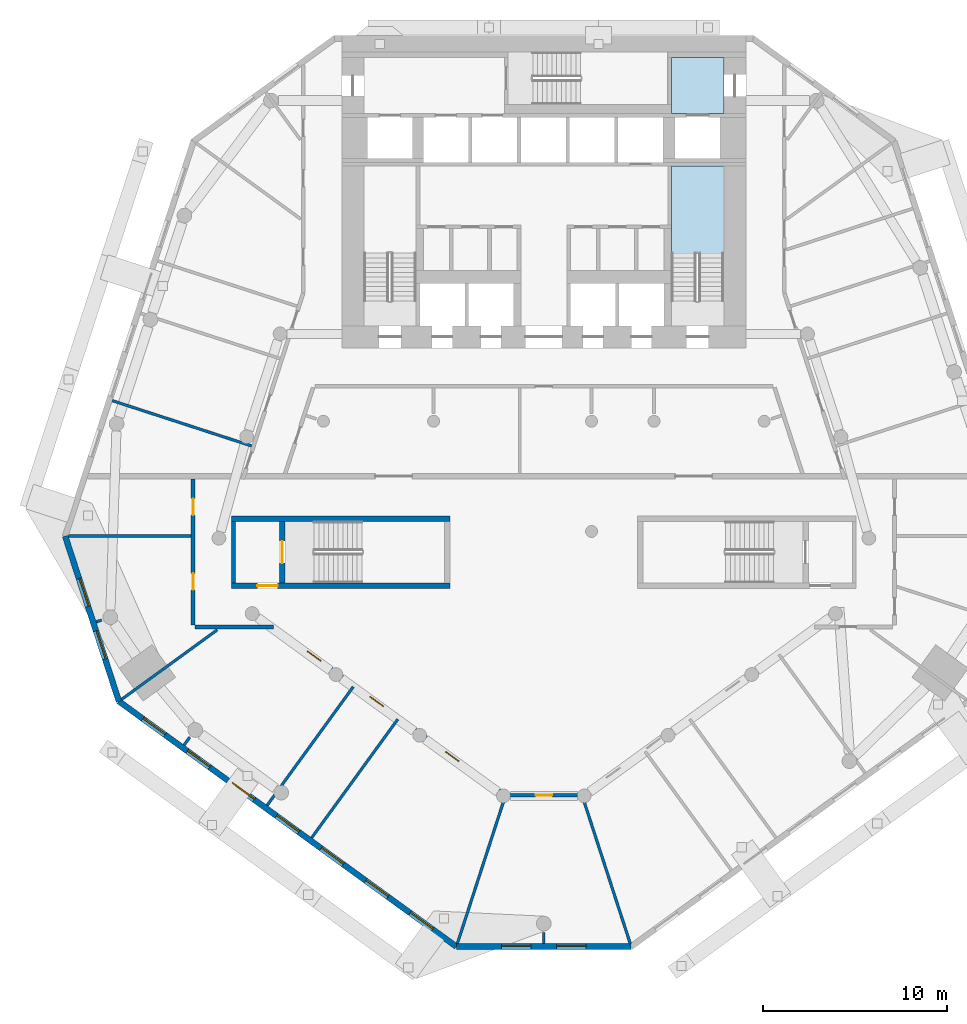
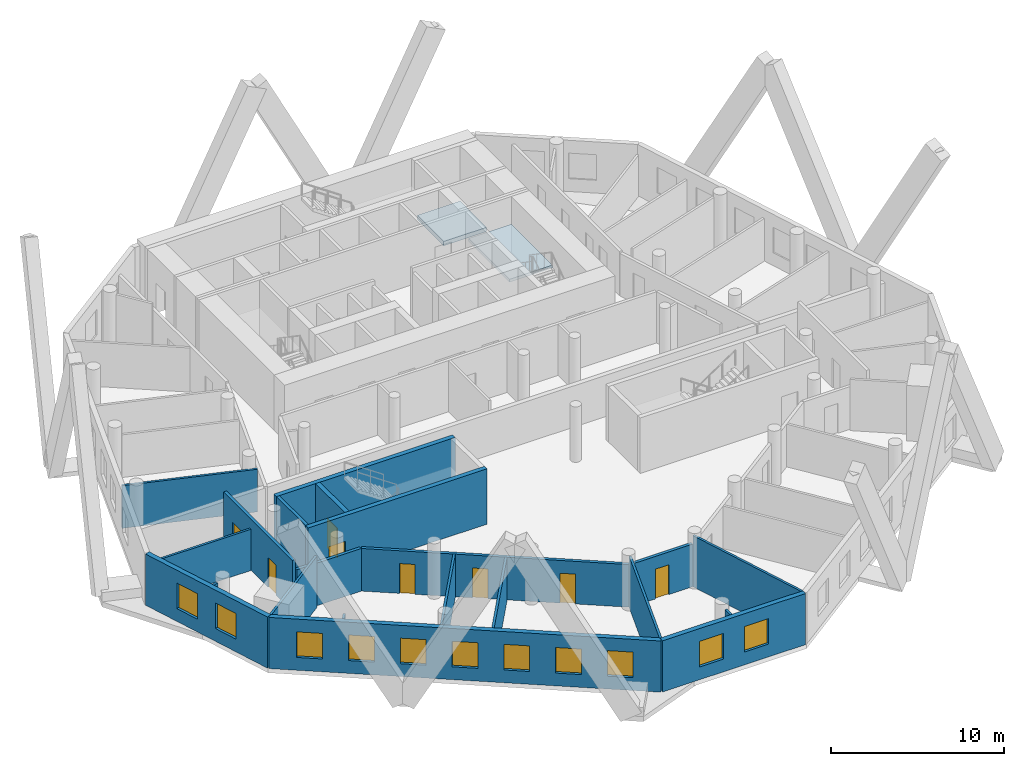
# One storey, part 3 of 10: 21 walls, 11 windows, 8 doors, 2 slabs, 19 openings, 1 element without a shape of its own.
"""IFC4 building model written with IfcOpenShell, lengths in metres."""

from ifc_helpers import new_model, si_unit, direction, frame, frame_2d, origin, place, context, subcontext, project, spatial, polyline, rectangle, outline, extrude, material, layer, layer_set, type_object, element, fill, aggregate, save


model = new_model("IFC4")

# Units and contexts
model_context = context("Model", 3, precision=1e-05, world=origin(), true_north=direction((0.0, 1.0)))
body_context = subcontext(model_context, "Body", "Model", "MODEL_VIEW")
ifc_project = project(units=[si_unit("LENGTHUNIT", "METRE"), si_unit("AREAUNIT", "SQUARE_METRE"), si_unit("VOLUMEUNIT", "CUBIC_METRE"), si_unit("PLANEANGLEUNIT", "RADIAN"), si_unit("MASSUNIT", "GRAM", prefix="KILO")], contexts=[model_context])

# Site, building, storey
site_placement = place(None, origin())
site = spatial("IfcSite", under=ifc_project, at=site_placement, CompositionType="ELEMENT")
building_placement = place(site_placement, origin())
building = spatial("IfcBuilding", under=site, at=building_placement, Name="White Candle Pilgrim Tower", CompositionType="ELEMENT")
storey_placement = place(building_placement, frame((0.0, 0.0, 54.60009765625)))
storey = spatial("IfcBuildingStorey", under=building, at=storey_placement, Name="L10", CompositionType="ELEMENT", Elevation=54.60009765625)

# Slab
ifc_material_1 = material(Name="Concrete C40/50", Category="concrete")
ifc_layer_1 = layer(ifc_material_1, 0.300048828125)
ifc_layer_set_1 = layer_set([ifc_layer_1], Name="Core floor slab 300 mm Concrete C40/50")
slab_type_1 = type_object("IfcSlabType", Name="Core floor slab 300 mm Concrete C40/50", PredefinedType="FLOOR", material=ifc_layer_set_1)
slab_1_placement = place(storey_placement, frame((0.0, 0.0, -0.300048828125)))
element("IfcSlab", 1, at=slab_1_placement, inside=storey, type_object=slab_type_1, Name="CF-L10-06", PredefinedType="FLOOR", context=body_context, shape_type="SweptSolid", body=[
    extrude(outline(polyline([(79.800048828125, 86.800048828125), (79.800048828125, 83.75), (76.949951171875, 83.75), (76.949951171875, 84.25), (76.949951171875, 86.800048828125), (79.800048828125, 86.800048828125)])), origin(), (0.0, 0.0, 1.0), 0.300048828125),
])

# Stair, slab
stair_type = type_object("IfcStairType", Name="Exit stair 2 flight width 1350 mm", PredefinedType="HALF_TURN_STAIR", material=ifc_material_1)
stair_placement = place(storey_placement, origin())
stair = element("IfcStair", 2, at=stair_placement, inside=storey, type_object=stair_type, Name="L10 stair 2", PredefinedType="NOTDEFINED")
ifc_layer_2 = layer(ifc_material_1, 0.199951171875)
ifc_layer_set_2 = layer_set([ifc_layer_2], Name="Stair landing Concrete C40/50")
slab_type_2 = type_object("IfcSlabType", Name="Stair landing Concrete C40/50", PredefinedType="LANDING", material=ifc_layer_set_2)
slab_2_placement = place(storey_placement, frame((0.0, 0.0, 1.75)))
slab_2 = element("IfcSlab", 3, at=slab_2_placement, type_object=slab_type_2, Name="ST2 landing 1", PredefinedType="LANDING", context=body_context, shape_type="SweptSolid", body=[
    extrude(outline(polyline([(79.802001953125, 76.14794921875), (76.947998046875, 76.14794921875), (76.947998046875, 80.902099609375), (79.802001953125, 80.902099609375), (79.802001953125, 76.14794921875)])), origin(), (0.0, 0.0, 1.0), 0.199951171875),
])
aggregate(stair, [slab_2])

# Wall
ifc_material_2 = material(Name="Concrete C70/85", Category="concrete")
ifc_layer_3 = layer(ifc_material_2, 0.199951171875)
ifc_layer_set_3 = layer_set([ifc_layer_3], Name="Core wall 200 mm Concrete C70/85")
wall_type_1 = type_object("IfcWallType", Name="Core wall 200 mm Concrete C70/85", PredefinedType="SHEAR", material=ifc_layer_set_3)
wall_1_placement = place(storey_placement, frame((53.10009765625, 58.199951171875, 0.0), z_axis=(0.0, 0.0, 1.0), x_axis=(0.0, 1.0, 0.0)))
element("IfcWall", 4, at=wall_1_placement, inside=storey, type_object=wall_type_1, Name="WL-L10-C03", PredefinedType="SHEAR", context=body_context, shape_type="SweptSolid", body=[
    extrude(rectangle(XDim=3.35009765625, YDim=0.199951171875, at=frame_2d((1.675048828125, 0.0))), origin(), (0.0, 0.0, 1.0), 3.89990234375),
])

# Wall, opening, door
ifc_material_3 = material(Name="Gypsum board on steel studs", Category="steel")
ifc_layer_4 = layer(ifc_material_3, 0.199951171875)
ifc_layer_set_4 = layer_set([ifc_layer_4], Name="Corridor wall 200 mm EI 45")
wall_type_2 = type_object("IfcWallType", Name="Corridor wall 200 mm EI 45", PredefinedType="PARTITIONING", material=ifc_layer_set_4)
wall_2_placement = place(storey_placement, frame((72.05029296875, 46.635498046875, 0.0), z_axis=(0.0, 0.0, 1.0), x_axis=(-1.0, 0.0, 0.0)))
wall_2 = element("IfcWall", 5, at=wall_2_placement, inside=storey, type_object=wall_type_2, Name="WL-L10-P009", PredefinedType="PARTITIONING", context=body_context, shape_type="SweptSolid", body=[
    extrude(rectangle(XDim=4.1005859375, YDim=0.199951171875, at=frame_2d((2.05029296875, 0.0))), origin(), (0.0, 0.0, 1.0), 3.0),
])
opening_1_placement = place(wall_2_placement, frame((1.600341796875, 0.0, 0.0)))
opening_1 = element("IfcOpeningElement", 6, at=opening_1_placement, cuts=wall_2, Name="Opening T03-105", PredefinedType="OPENING", context=body_context, shape_type="SweptSolid", body=[
    extrude(rectangle(XDim=0.89990234375, YDim=2.10009765625, at=frame_2d((0.449951171875, 1.050048828125))), frame((0.0, 0.10986328125, 0.0), z_axis=(0.0, -1.0, 0.0), x_axis=(1.0, 0.0, 0.0)), (0.0, 0.0, 1.0), 0.219970703125),
])
ifc_material_4 = material(Name="Steel door leaf", Category="steel")
door_type_1 = type_object("IfcDoorType", Name="Fire door 900 x 2100 EI 30", OperationType="NOTDEFINED", PredefinedType="DOOR", material=ifc_material_4)
door_1_placement = place(opening_1_placement, origin())
door_1 = element("IfcDoor", 7, at=door_1_placement, inside=storey, type_object=door_type_1, Name="Door T03-105", OperationType="SINGLE_SWING_LEFT", OverallHeight=2.10009765625, OverallWidth=0.89990234375, PredefinedType="DOOR", context=body_context, shape_type="SweptSolid", body=[
    extrude(rectangle(XDim=0.89990234375, YDim=2.10009765625, at=frame_2d((0.449951171875, 1.050048828125))), frame((0.0, 0.02490234375, 0.0), z_axis=(0.0, -1.0, 0.0), x_axis=(1.0, 0.0, 0.0)), (0.0, 0.0, 1.0), 0.050048828125),
])
fill(opening_1, door_1)

# Wall, openings, doors
wall_3_placement = place(storey_placement, frame((67.89111328125, 46.654541015625, 0.0), z_axis=(0.0, 0.0, 1.0), x_axis=(-0.80901748899, 0.587784571512, 0.0)))
wall_3 = element("IfcWall", 8, at=wall_3_placement, inside=storey, type_object=wall_type_2, Name="WL-L10-P010", PredefinedType="PARTITIONING", context=body_context, shape_type="SweptSolid", body=[
    extrude(rectangle(XDim=15.52685546875, YDim=0.199951171875, at=frame_2d((7.763427734375, 0.0))), origin(), (0.0, 0.0, 1.0), 3.0),
])
opening_2_placement = place(wall_3_placement, frame((12.40380859375, 0.0, 0.0)))
opening_2 = element("IfcOpeningElement", 9, at=opening_2_placement, cuts=wall_3, Name="Opening T03-102", PredefinedType="OPENING", context=body_context, shape_type="SweptSolid", body=[
    extrude(rectangle(XDim=0.89990234375, YDim=2.10009765625, at=frame_2d((0.449951171875, 1.050048828125))), frame((0.0, 0.10986328125, 0.0), z_axis=(0.0, -1.0, 0.0), x_axis=(1.0, 0.0, 0.0)), (0.0, 0.0, 1.0), 0.219970703125),
])
opening_3_placement = place(wall_3_placement, frame((8.198486328125, 0.0, 0.0)))
opening_3 = element("IfcOpeningElement", 10, at=opening_3_placement, cuts=wall_3, Name="Opening T03-103", PredefinedType="OPENING", context=body_context, shape_type="SweptSolid", body=[
    extrude(rectangle(XDim=0.89990234375, YDim=2.10009765625, at=frame_2d((0.449951171875, 1.050048828125))), frame((0.0, 0.10986328125, 0.0), z_axis=(0.0, -1.0, 0.0), x_axis=(1.0, 0.0, 0.0)), (0.0, 0.0, 1.0), 0.219970703125),
])
opening_4_placement = place(wall_3_placement, frame((3.10791015625, 0.0, 0.0)))
opening_4 = element("IfcOpeningElement", 11, at=opening_4_placement, cuts=wall_3, Name="Opening T03-104", PredefinedType="OPENING", context=body_context, shape_type="SweptSolid", body=[
    extrude(rectangle(XDim=0.89990234375, YDim=2.10009765625, at=frame_2d((0.449951171875, 1.050048828125))), frame((0.0, 0.10986328125, 0.0), z_axis=(0.0, -1.0, 0.0), x_axis=(1.0, 0.0, 0.0)), (0.0, 0.0, 1.0), 0.219970703125),
])
door_2_placement = place(opening_2_placement, origin())
door_2 = element("IfcDoor", 12, at=door_2_placement, inside=storey, type_object=door_type_1, Name="Door T03-102", OperationType="SINGLE_SWING_RIGHT", OverallHeight=2.10009765625, OverallWidth=0.89990234375, PredefinedType="DOOR", context=body_context, shape_type="SweptSolid", body=[
    extrude(rectangle(XDim=0.89990234375, YDim=2.10009765625, at=frame_2d((0.449951171875, 1.050048828125))), frame((0.0, 0.02490234375, 0.0), z_axis=(0.0, -1.0, 0.0), x_axis=(1.0, 0.0, 0.0)), (0.0, 0.0, 1.0), 0.050048828125),
])
fill(opening_2, door_2)
door_3_placement = place(opening_3_placement, origin())
door_3 = element("IfcDoor", 13, at=door_3_placement, inside=storey, type_object=door_type_1, Name="Door T03-103", OperationType="SINGLE_SWING_LEFT", OverallHeight=2.10009765625, OverallWidth=0.89990234375, PredefinedType="DOOR", context=body_context, shape_type="SweptSolid", body=[
    extrude(rectangle(XDim=0.89990234375, YDim=2.10009765625, at=frame_2d((0.449951171875, 1.050048828125))), frame((0.0, 0.02490234375, 0.0), z_axis=(0.0, -1.0, 0.0), x_axis=(1.0, 0.0, 0.0)), (0.0, 0.0, 1.0), 0.050048828125),
])
fill(opening_3, door_3)
door_4_placement = place(opening_4_placement, origin())
door_4 = element("IfcDoor", 14, at=door_4_placement, inside=storey, type_object=door_type_1, Name="Door T03-104", OperationType="SINGLE_SWING_RIGHT", OverallHeight=2.10009765625, OverallWidth=0.89990234375, PredefinedType="DOOR", context=body_context, shape_type="SweptSolid", body=[
    extrude(rectangle(XDim=0.89990234375, YDim=2.10009765625, at=frame_2d((0.449951171875, 1.050048828125))), frame((0.0, 0.02490234375, 0.0), z_axis=(0.0, -1.0, 0.0), x_axis=(1.0, 0.0, 0.0)), (0.0, 0.0, 1.0), 0.050048828125),
])
fill(opening_4, door_4)

# Wall
wall_4_placement = place(storey_placement, frame((55.27099609375, 55.800048828125, 0.0), z_axis=(0.0, 0.0, 1.0), x_axis=(-1.0, 0.0, 0.0)))
element("IfcWall", 15, at=wall_4_placement, inside=storey, type_object=wall_type_2, Name="WL-L10-P011", PredefinedType="PARTITIONING", context=body_context, shape_type="SweptSolid", body=[
    extrude(rectangle(XDim=4.27099609375, YDim=0.199951171875, at=frame_2d((2.135498046875, 0.0))), origin(), (0.0, 0.0, 1.0), 3.0),
])

# Wall, openings, doors
wall_5_placement = place(storey_placement, frame((50.89990234375, 55.89990234375, 0.0), z_axis=(0.0, 0.0, 1.0), x_axis=(0.0, 1.0, 0.0)))
wall_5 = element("IfcWall", 16, at=wall_5_placement, inside=storey, type_object=wall_type_2, Name="WL-L10-P012", PredefinedType="PARTITIONING", context=body_context, shape_type="SweptSolid", body=[
    extrude(rectangle(XDim=7.9501953125, YDim=0.199951171875, at=frame_2d((3.97509765625, 0.0))), origin(), (0.0, 0.0, 1.0), 3.599853515625),
])
opening_5_placement = place(wall_5_placement, frame((1.923583984375, 0.0, 0.0)))
opening_5 = element("IfcOpeningElement", 17, at=opening_5_placement, cuts=wall_5, Name="Opening T03-101", PredefinedType="OPENING", context=body_context, shape_type="SweptSolid", body=[
    extrude(rectangle(XDim=0.89990234375, YDim=2.10009765625, at=frame_2d((0.449951171875, 1.050048828125))), frame((0.0, 0.10986328125, 0.0), z_axis=(0.0, -1.0, 0.0), x_axis=(1.0, 0.0, 0.0)), (0.0, 0.0, 1.0), 0.219970703125),
])
opening_6_placement = place(wall_5_placement, frame((5.986083984375, 0.0, 0.0)))
opening_6 = element("IfcOpeningElement", 18, at=opening_6_placement, cuts=wall_5, Name="Opening T03-114", PredefinedType="OPENING", context=body_context, shape_type="SweptSolid", body=[
    extrude(rectangle(XDim=0.89990234375, YDim=2.10009765625, at=frame_2d((0.449951171875, 1.050048828125))), frame((0.0, 0.10986328125, 0.0), z_axis=(0.0, -1.0, 0.0), x_axis=(1.0, 0.0, 0.0)), (0.0, 0.0, 1.0), 0.219970703125),
])
door_5_placement = place(opening_5_placement, origin())
door_5 = element("IfcDoor", 19, at=door_5_placement, inside=storey, type_object=door_type_1, Name="Door T03-101", OperationType="SINGLE_SWING_LEFT", OverallHeight=2.10009765625, OverallWidth=0.89990234375, PredefinedType="DOOR", context=body_context, shape_type="SweptSolid", body=[
    extrude(rectangle(XDim=0.89990234375, YDim=2.10009765625, at=frame_2d((0.449951171875, 1.050048828125))), frame((0.0, 0.02490234375, 0.0), z_axis=(0.0, -1.0, 0.0), x_axis=(1.0, 0.0, 0.0)), (0.0, 0.0, 1.0), 0.050048828125),
])
fill(opening_5, door_5)
door_6_placement = place(opening_6_placement, origin())
door_6 = element("IfcDoor", 20, at=door_6_placement, inside=storey, type_object=door_type_1, Name="Door T03-114", OperationType="SINGLE_SWING_RIGHT", OverallHeight=2.10009765625, OverallWidth=0.89990234375, PredefinedType="DOOR", context=body_context, shape_type="SweptSolid", body=[
    extrude(rectangle(XDim=0.89990234375, YDim=2.10009765625, at=frame_2d((0.449951171875, 1.050048828125))), frame((0.0, 0.02490234375, 0.0), z_axis=(0.0, -1.0, 0.0), x_axis=(1.0, 0.0, 0.0)), (0.0, 0.0, 1.0), 0.050048828125),
])
fill(opening_6, door_6)

# Wall, openings, windows
ifc_material_5 = material(Name="Precast concrete C40/50", Category="concrete")
ifc_layer_5 = layer(ifc_material_5, 0.320068359375)
ifc_layer_set_5 = layer_set([ifc_layer_5], Name="Facade wall EW1 precast concrete C40/50 pier wall with timber-lined reveals")
wall_type_3 = type_object("IfcWallType", Name="Facade wall EW1 precast concrete C40/50 pier wall with timber-lined reveals", PredefinedType="SOLIDWALL", material=ifc_layer_set_5)
wall_6_placement = place(storey_placement, frame((43.937744140625, 60.747314453125, 0.0), z_axis=(0.0, 0.0, 1.0), x_axis=(0.309035900621, -0.951050373076, 0.0)))
wall_6 = element("IfcWall", 21, at=wall_6_placement, inside=storey, type_object=wall_type_3, Name="Facade wall L10 W chamfer", PredefinedType="SOLIDWALL", context=body_context, shape_type="SweptSolid", body=[
    extrude(rectangle(XDim=9.462646484375, YDim=0.320068359375, at=frame_2d((4.7314453125, 0.0))), origin(), (0.0, 0.0, 1.0), 3.599853515625),
])
opening_7_placement = place(wall_6_placement, frame((2.431396484375, 0.0, 0.89990234375)))
opening_7 = element("IfcOpeningElement", 22, at=opening_7_placement, cuts=wall_6, Name="Opening W2", PredefinedType="OPENING", context=body_context, shape_type="SweptSolid", body=[
    extrude(rectangle(XDim=1.60009765625, YDim=1.800048828125, at=frame_2d((0.800048828125, 0.89990234375))), frame((0.0, 0.169921875, 0.0), z_axis=(0.0, -1.0, 0.0), x_axis=(1.0, 0.0, 0.0)), (0.0, 0.0, 1.0), 0.340087890625),
])
opening_8_placement = place(wall_6_placement, frame((5.431396484375, 0.0, 0.89990234375)))
opening_8 = element("IfcOpeningElement", 23, at=opening_8_placement, cuts=wall_6, Name="Opening W2", PredefinedType="OPENING", context=body_context, shape_type="SweptSolid", body=[
    extrude(rectangle(XDim=1.60009765625, YDim=1.800048828125, at=frame_2d((0.800048828125, 0.89990234375))), frame((0.0, 0.169921875, 0.0), z_axis=(0.0, -1.0, 0.0), x_axis=(1.0, 0.0, 0.0)), (0.0, 0.0, 1.0), 0.340087890625),
])
ifc_material_6 = material(Name="Timber frame with triple glazing", Category="wood")
window_type_1 = type_object("IfcWindowType", Name="Window W2 1600x1800 timber frame triple glazing", PartitioningType="SINGLE_PANEL", PredefinedType="WINDOW", material=ifc_material_6)
window_1_placement = place(opening_7_placement, origin())
window_1 = element("IfcWindow", 24, at=window_1_placement, inside=storey, type_object=window_type_1, Name="Window W2 L10 W chamfer 1", OverallHeight=1.800048828125, OverallWidth=1.60009765625, PartitioningType="SINGLE_PANEL", PredefinedType="WINDOW", context=body_context, shape_type="SweptSolid", body=[
    extrude(rectangle(XDim=1.60009765625, YDim=1.800048828125, at=frame_2d((0.800048828125, 0.89990234375))), frame((0.0, 0.070068359375, 0.0), z_axis=(0.0, -1.0, 0.0), x_axis=(1.0, 0.0, 0.0)), (0.0, 0.0, 1.0), 0.06005859375),
])
fill(opening_7, window_1)
window_2_placement = place(opening_8_placement, origin())
window_2 = element("IfcWindow", 25, at=window_2_placement, inside=storey, type_object=window_type_1, Name="Window W2 L10 W chamfer 2", OverallHeight=1.800048828125, OverallWidth=1.60009765625, PartitioningType="SINGLE_PANEL", PredefinedType="WINDOW", context=body_context, shape_type="SweptSolid", body=[
    extrude(rectangle(XDim=1.60009765625, YDim=1.800048828125, at=frame_2d((0.800048828125, 0.89990234375))), frame((0.0, 0.070068359375, 0.0), z_axis=(0.0, -1.0, 0.0), x_axis=(1.0, 0.0, 0.0)), (0.0, 0.0, 1.0), 0.06005859375),
])
fill(opening_8, window_2)

wall_7_placement = place(storey_placement, frame((46.862060546875, 51.747802734375, 0.0), z_axis=(0.0, 0.0, 1.0), x_axis=(0.809018094896, -0.587783737552, 0.0)))
wall_7 = element("IfcWall", 26, at=wall_7_placement, inside=storey, type_object=wall_type_3, Name="Facade wall L10 SW", PredefinedType="SOLIDWALL", context=body_context, shape_type="SweptSolid", body=[
    extrude(rectangle(XDim=22.71630859375, YDim=0.320068359375, at=frame_2d((11.358154296875, 0.0))), origin(), (0.0, 0.0, 1.0), 3.599853515625),
])
opening_9_placement = place(wall_7_placement, frame((1.608154296875, 0.0, 0.89990234375)))
opening_9 = element("IfcOpeningElement", 27, at=opening_9_placement, cuts=wall_7, Name="Opening W1", PredefinedType="OPENING", context=body_context, shape_type="SweptSolid", body=[
    extrude(rectangle(XDim=1.5, YDim=1.800048828125, at=frame_2d((0.75, 0.89990234375))), frame((0.0, 0.169921875, 0.0), z_axis=(0.0, -1.0, 0.0), x_axis=(1.0, 0.0, 0.0)), (0.0, 0.0, 1.0), 0.340087890625),
])
opening_10_placement = place(wall_7_placement, frame((4.608154296875, 0.0, 0.89990234375)))
opening_10 = element("IfcOpeningElement", 28, at=opening_10_placement, cuts=wall_7, Name="Opening W1", PredefinedType="OPENING", context=body_context, shape_type="SweptSolid", body=[
    extrude(rectangle(XDim=1.5, YDim=1.800048828125, at=frame_2d((0.75, 0.89990234375))), frame((0.0, 0.169921875, 0.0), z_axis=(0.0, -1.0, 0.0), x_axis=(1.0, 0.0, 0.0)), (0.0, 0.0, 1.0), 0.340087890625),
])
opening_11_placement = place(wall_7_placement, frame((7.608154296875, 0.0, 0.89990234375)))
opening_11 = element("IfcOpeningElement", 29, at=opening_11_placement, cuts=wall_7, Name="Opening W1", PredefinedType="OPENING", context=body_context, shape_type="SweptSolid", body=[
    extrude(rectangle(XDim=1.5, YDim=1.800048828125, at=frame_2d((0.75, 0.89990234375))), frame((0.0, 0.169921875, 0.0), z_axis=(0.0, -1.0, 0.0), x_axis=(1.0, 0.0, 0.0)), (0.0, 0.0, 1.0), 0.340087890625),
])
opening_12_placement = place(wall_7_placement, frame((10.608154296875, 0.0, 0.89990234375)))
opening_12 = element("IfcOpeningElement", 30, at=opening_12_placement, cuts=wall_7, Name="Opening W1", PredefinedType="OPENING", context=body_context, shape_type="SweptSolid", body=[
    extrude(rectangle(XDim=1.5, YDim=1.800048828125, at=frame_2d((0.75, 0.89990234375))), frame((0.0, 0.169921875, 0.0), z_axis=(0.0, -1.0, 0.0), x_axis=(1.0, 0.0, 0.0)), (0.0, 0.0, 1.0), 0.340087890625),
])
opening_13_placement = place(wall_7_placement, frame((13.608154296875, 0.0, 0.89990234375)))
opening_13 = element("IfcOpeningElement", 31, at=opening_13_placement, cuts=wall_7, Name="Opening W1", PredefinedType="OPENING", context=body_context, shape_type="SweptSolid", body=[
    extrude(rectangle(XDim=1.5, YDim=1.800048828125, at=frame_2d((0.75, 0.89990234375))), frame((0.0, 0.169921875, 0.0), z_axis=(0.0, -1.0, 0.0), x_axis=(1.0, 0.0, 0.0)), (0.0, 0.0, 1.0), 0.340087890625),
])
opening_14_placement = place(wall_7_placement, frame((16.608154296875, 0.0, 0.89990234375)))
opening_14 = element("IfcOpeningElement", 32, at=opening_14_placement, cuts=wall_7, Name="Opening W1", PredefinedType="OPENING", context=body_context, shape_type="SweptSolid", body=[
    extrude(rectangle(XDim=1.5, YDim=1.800048828125, at=frame_2d((0.75, 0.89990234375))), frame((0.0, 0.169921875, 0.0), z_axis=(0.0, -1.0, 0.0), x_axis=(1.0, 0.0, 0.0)), (0.0, 0.0, 1.0), 0.340087890625),
])
opening_15_placement = place(wall_7_placement, frame((19.608154296875, 0.0, 0.89990234375)))
opening_15 = element("IfcOpeningElement", 33, at=opening_15_placement, cuts=wall_7, Name="Opening W1", PredefinedType="OPENING", context=body_context, shape_type="SweptSolid", body=[
    extrude(rectangle(XDim=1.5, YDim=1.800048828125, at=frame_2d((0.75, 0.89990234375))), frame((0.0, 0.169921875, 0.0), z_axis=(0.0, -1.0, 0.0), x_axis=(1.0, 0.0, 0.0)), (0.0, 0.0, 1.0), 0.340087890625),
])
window_type_2 = type_object("IfcWindowType", Name="Window W1 1500x1800 timber frame triple glazing", PartitioningType="SINGLE_PANEL", PredefinedType="WINDOW", material=ifc_material_6)
window_3_placement = place(opening_9_placement, origin())
window_3 = element("IfcWindow", 34, at=window_3_placement, inside=storey, type_object=window_type_2, Name="Window W1 L10 SW 1", OverallHeight=1.800048828125, OverallWidth=1.5, PartitioningType="SINGLE_PANEL", PredefinedType="WINDOW", context=body_context, shape_type="SweptSolid", body=[
    extrude(rectangle(XDim=1.5, YDim=1.800048828125, at=frame_2d((0.75, 0.89990234375))), frame((0.0, 0.070068359375, 0.0), z_axis=(0.0, -1.0, 0.0), x_axis=(1.0, 0.0, 0.0)), (0.0, 0.0, 1.0), 0.06005859375),
])
fill(opening_9, window_3)
window_4_placement = place(opening_10_placement, origin())
window_4 = element("IfcWindow", 35, at=window_4_placement, inside=storey, type_object=window_type_2, Name="Window W1 L10 SW 2", OverallHeight=1.800048828125, OverallWidth=1.5, PartitioningType="SINGLE_PANEL", PredefinedType="WINDOW", context=body_context, shape_type="SweptSolid", body=[
    extrude(rectangle(XDim=1.5, YDim=1.800048828125, at=frame_2d((0.75, 0.89990234375))), frame((0.0, 0.070068359375, 0.0), z_axis=(0.0, -1.0, 0.0), x_axis=(1.0, 0.0, 0.0)), (0.0, 0.0, 1.0), 0.06005859375),
])
fill(opening_10, window_4)
window_5_placement = place(opening_11_placement, origin())
window_5 = element("IfcWindow", 36, at=window_5_placement, inside=storey, type_object=window_type_2, Name="Window W1 L10 SW 3", OverallHeight=1.800048828125, OverallWidth=1.5, PartitioningType="SINGLE_PANEL", PredefinedType="WINDOW", context=body_context, shape_type="SweptSolid", body=[
    extrude(rectangle(XDim=1.5, YDim=1.800048828125, at=frame_2d((0.75, 0.89990234375))), frame((0.0, 0.070068359375, 0.0), z_axis=(0.0, -1.0, 0.0), x_axis=(1.0, 0.0, 0.0)), (0.0, 0.0, 1.0), 0.06005859375),
])
fill(opening_11, window_5)
window_6_placement = place(opening_12_placement, origin())
window_6 = element("IfcWindow", 37, at=window_6_placement, inside=storey, type_object=window_type_2, Name="Window W1 L10 SW 4", OverallHeight=1.800048828125, OverallWidth=1.5, PartitioningType="SINGLE_PANEL", PredefinedType="WINDOW", context=body_context, shape_type="SweptSolid", body=[
    extrude(rectangle(XDim=1.5, YDim=1.800048828125, at=frame_2d((0.75, 0.89990234375))), frame((0.0, 0.070068359375, 0.0), z_axis=(0.0, -1.0, 0.0), x_axis=(1.0, 0.0, 0.0)), (0.0, 0.0, 1.0), 0.06005859375),
])
fill(opening_12, window_6)
window_7_placement = place(opening_13_placement, origin())
window_7 = element("IfcWindow", 38, at=window_7_placement, inside=storey, type_object=window_type_2, Name="Window W1 L10 SW 5", OverallHeight=1.800048828125, OverallWidth=1.5, PartitioningType="SINGLE_PANEL", PredefinedType="WINDOW", context=body_context, shape_type="SweptSolid", body=[
    extrude(rectangle(XDim=1.5, YDim=1.800048828125, at=frame_2d((0.75, 0.89990234375))), frame((0.0, 0.070068359375, 0.0), z_axis=(0.0, -1.0, 0.0), x_axis=(1.0, 0.0, 0.0)), (0.0, 0.0, 1.0), 0.06005859375),
])
fill(opening_13, window_7)
window_8_placement = place(opening_14_placement, origin())
window_8 = element("IfcWindow", 39, at=window_8_placement, inside=storey, type_object=window_type_2, Name="Window W1 L10 SW 6", OverallHeight=1.800048828125, OverallWidth=1.5, PartitioningType="SINGLE_PANEL", PredefinedType="WINDOW", context=body_context, shape_type="SweptSolid", body=[
    extrude(rectangle(XDim=1.5, YDim=1.800048828125, at=frame_2d((0.75, 0.89990234375))), frame((0.0, 0.070068359375, 0.0), z_axis=(0.0, -1.0, 0.0), x_axis=(1.0, 0.0, 0.0)), (0.0, 0.0, 1.0), 0.06005859375),
])
fill(opening_14, window_8)
window_9_placement = place(opening_15_placement, origin())
window_9 = element("IfcWindow", 40, at=window_9_placement, inside=storey, type_object=window_type_2, Name="Window W1 L10 SW 7", OverallHeight=1.800048828125, OverallWidth=1.5, PartitioningType="SINGLE_PANEL", PredefinedType="WINDOW", context=body_context, shape_type="SweptSolid", body=[
    extrude(rectangle(XDim=1.5, YDim=1.800048828125, at=frame_2d((0.75, 0.89990234375))), frame((0.0, 0.070068359375, 0.0), z_axis=(0.0, -1.0, 0.0), x_axis=(1.0, 0.0, 0.0)), (0.0, 0.0, 1.0), 0.06005859375),
])
fill(opening_15, window_9)

wall_8_placement = place(storey_placement, frame((65.239990234375, 38.3955078125, 0.0), z_axis=(0.0, 0.0, 1.0), x_axis=(1.0, 0.0, 0.0)))
wall_8 = element("IfcWall", 41, at=wall_8_placement, inside=storey, type_object=wall_type_3, Name="Facade wall L10 S chamfer", PredefinedType="SOLIDWALL", context=body_context, shape_type="SweptSolid", body=[
    extrude(rectangle(XDim=9.52001953125, YDim=0.320068359375, at=frame_2d((4.760009765625, 0.0))), origin(), (0.0, 0.0, 1.0), 3.599853515625),
])
opening_16_placement = place(wall_8_placement, frame((2.460205078125, 0.0, 0.89990234375)))
opening_16 = element("IfcOpeningElement", 42, at=opening_16_placement, cuts=wall_8, Name="Opening W2", PredefinedType="OPENING", context=body_context, shape_type="SweptSolid", body=[
    extrude(rectangle(XDim=1.60009765625, YDim=1.800048828125, at=frame_2d((0.800048828125, 0.89990234375))), frame((0.0, 0.169921875, 0.0), z_axis=(0.0, -1.0, 0.0), x_axis=(1.0, 0.0, 0.0)), (0.0, 0.0, 1.0), 0.340087890625),
])
opening_17_placement = place(wall_8_placement, frame((5.460205078125, 0.0, 0.89990234375)))
opening_17 = element("IfcOpeningElement", 43, at=opening_17_placement, cuts=wall_8, Name="Opening W2", PredefinedType="OPENING", context=body_context, shape_type="SweptSolid", body=[
    extrude(rectangle(XDim=1.60009765625, YDim=1.800048828125, at=frame_2d((0.800048828125, 0.89990234375))), frame((0.0, 0.169921875, 0.0), z_axis=(0.0, -1.0, 0.0), x_axis=(1.0, 0.0, 0.0)), (0.0, 0.0, 1.0), 0.340087890625),
])
window_10_placement = place(opening_16_placement, origin())
window_10 = element("IfcWindow", 44, at=window_10_placement, inside=storey, type_object=window_type_1, Name="Window W2 L10 S chamfer 1", OverallHeight=1.800048828125, OverallWidth=1.60009765625, PartitioningType="SINGLE_PANEL", PredefinedType="WINDOW", context=body_context, shape_type="SweptSolid", body=[
    extrude(rectangle(XDim=1.60009765625, YDim=1.800048828125, at=frame_2d((0.800048828125, 0.89990234375))), frame((0.0, 0.070068359375, 0.0), z_axis=(0.0, -1.0, 0.0), x_axis=(1.0, 0.0, 0.0)), (0.0, 0.0, 1.0), 0.06005859375),
])
fill(opening_16, window_10)
window_11_placement = place(opening_17_placement, origin())
window_11 = element("IfcWindow", 45, at=window_11_placement, inside=storey, type_object=window_type_1, Name="Window W2 L10 S chamfer 2", OverallHeight=1.800048828125, OverallWidth=1.60009765625, PartitioningType="SINGLE_PANEL", PredefinedType="WINDOW", context=body_context, shape_type="SweptSolid", body=[
    extrude(rectangle(XDim=1.60009765625, YDim=1.800048828125, at=frame_2d((0.800048828125, 0.89990234375))), frame((0.0, 0.070068359375, 0.0), z_axis=(0.0, -1.0, 0.0), x_axis=(1.0, 0.0, 0.0)), (0.0, 0.0, 1.0), 0.06005859375),
])
fill(opening_17, window_11)

# Walls
ifc_layer_6 = layer(ifc_material_3, 0.14990234375)
ifc_layer_set_6 = layer_set([ifc_layer_6], Name="Partition 150 mm EI 60")
wall_type_4 = type_object("IfcWallType", Name="Partition 150 mm EI 60", PredefinedType="PARTITIONING", material=ifc_layer_set_6)
wall_9_placement = place(storey_placement, frame((44.10595703125, 60.747314453125, 0.0), z_axis=(0.0, 0.0, 1.0), x_axis=(1.0, 0.0, 0.0)))
element("IfcWall", 46, at=wall_9_placement, inside=storey, type_object=wall_type_4, Name="WL-L10-P017", PredefinedType="PARTITIONING", context=body_context, shape_type="SweptSolid", body=[
    extrude(rectangle(XDim=6.694091796875, YDim=0.14990234375, at=frame_2d((3.34716796875, 0.0))), origin(), (0.0, 0.0, 1.0), 2.89990234375),
])
wall_10_placement = place(storey_placement, frame((46.998046875, 51.8466796875, 0.0), z_axis=(0.0, 0.0, 1.0), x_axis=(0.809002704112, 0.587804920649, 0.0)))
element("IfcWall", 47, at=wall_10_placement, inside=storey, type_object=wall_type_4, Name="WL-L10-P018", PredefinedType="PARTITIONING", context=body_context, shape_type="SweptSolid", body=[
    extrude(rectangle(XDim=6.452392578125, YDim=0.14990234375, at=frame_2d((3.22607421875, 0.0))), origin(), (0.0, 0.0, 1.0), 3.599853515625),
])
for number, where, z_axis, x_axis, name in (
    (48, (65.2919921875, 38.555419921875, 0.0), (0.0, 0.0, 1.0), (0.309017155919, 0.951056463806, 0.0), "WL-L10-P019"),
    (49, (74.7080078125, 38.555419921875, 0.0), (0.0, 0.0, 1.0), (-0.309017155919, 0.951056463806, 0.0), "WL-L10-P020"),
):
    element("IfcWall", number, at=place(storey_placement, frame(where, z_axis=z_axis, x_axis=x_axis)), inside=storey, type_object=wall_type_4, Name=name, PredefinedType="PARTITIONING", context=body_context, shape_type="SweptSolid", body=[
        extrude(rectangle(XDim=8.410888671875, YDim=0.14990234375, at=frame_2d((4.20556640625, 0.0))), origin(), (0.0, 0.0, 1.0), 3.599853515625),
    ])
for number, where, z_axis, x_axis, name in (
    (50, (46.502197265625, 68.122314453125, 0.0), (0.0, 0.0, 1.0), (0.951054525606, -0.30902312102, 0.0), "WL-L10-P027"),
    (51, (54.931396484375, 46.082763671875, 0.0), (0.0, 0.0, 1.0), (0.587791447383, 0.809012493342, 0.0), "WL-L10-P028"),
    (52, (57.3583984375, 44.3193359375, 0.0), (0.0, 0.0, 1.0), (0.587791447383, 0.809012493342, 0.0), "WL-L10-P029"),
):
    element("IfcWall", number, at=place(storey_placement, frame(where, z_axis=z_axis, x_axis=x_axis)), inside=storey, type_object=wall_type_4, Name=name, PredefinedType="PARTITIONING", context=body_context, shape_type="SweptSolid", body=[
        extrude(rectangle(XDim=7.980224609375, YDim=0.14990234375, at=frame_2d((3.990234375, 0.0))), origin(), (0.0, 0.0, 1.0), 3.0),
    ])
wall_11_placement = place(storey_placement, frame((45.92529296875, 56.1748046875, 0.0), z_axis=(0.0, 0.0, 1.0), x_axis=(-0.951192295865, -0.308598795018, 0.0)))
element("IfcWall", 53, at=wall_11_placement, inside=storey, type_object=wall_type_4, Name="WL-L10-P040", PredefinedType="PARTITIONING", context=body_context, shape_type="SweptSolid", body=[
    extrude(rectangle(XDim=0.317138671875, YDim=0.14990234375, at=frame_2d((0.15869140625, 0.0))), origin(), (0.0, 0.0, 1.0), 3.599853515625),
])
wall_12_placement = place(storey_placement, frame((50.72412109375, 49.799560546875, 0.0), z_axis=(0.0, 0.0, 1.0), x_axis=(-0.588008562827, -0.808854702676, 0.0)))
element("IfcWall", 54, at=wall_12_placement, inside=storey, type_object=wall_type_4, Name="WL-L10-P041", PredefinedType="PARTITIONING", context=body_context, shape_type="SweptSolid", body=[
    extrude(rectangle(XDim=0.533935546875, YDim=0.14990234375, at=frame_2d((0.26708984375, 0.0))), origin(), (0.0, 0.0, 1.0), 3.599853515625),
])
wall_13_placement = place(storey_placement, frame((70.002197265625, 39.159912109375, 0.0), z_axis=(0.0, 0.0, 1.0), x_axis=(0.0, -1.0, 0.0)))
element("IfcWall", 55, at=wall_13_placement, inside=storey, type_object=wall_type_4, Name="WL-L10-P042", PredefinedType="PARTITIONING", context=body_context, shape_type="SweptSolid", body=[
    extrude(rectangle(XDim=0.6044921875, YDim=0.14990234375, at=frame_2d((0.30224609375, 0.0))), origin(), (0.0, 0.0, 1.0), 3.599853515625),
])

# Wall, opening, door
ifc_layer_7 = layer(ifc_material_2, 0.300048828125)
ifc_layer_set_7 = layer_set([ifc_layer_7], Name="Stair shaft wall 300 mm Concrete C70/85")
wall_type_5 = type_object("IfcWallType", Name="Stair shaft wall 300 mm Concrete C70/85", PredefinedType="SHEAR", material=ifc_layer_set_7)
wall_14_placement = place(storey_placement, frame((53.0, 58.050048828125, 0.0), z_axis=(0.0, 0.0, 1.0), x_axis=(1.0, 0.0, 0.0)))
wall_14 = element("IfcWall", 56, at=wall_14_placement, inside=storey, type_object=wall_type_5, Name="WL-L10-C01", PredefinedType="SHEAR", context=body_context, shape_type="SweptSolid", body=[
    extrude(rectangle(XDim=11.89990234375, YDim=0.300048828125, at=frame_2d((5.949951171875, 0.0))), origin(), (0.0, 0.0, 1.0), 3.89990234375),
])
opening_18_placement = place(wall_14_placement, frame((1.39990234375, 0.0, 0.0)))
opening_18 = element("IfcOpeningElement", 57, at=opening_18_placement, cuts=wall_14, Name="Opening T03-007", PredefinedType="OPENING", context=body_context, shape_type="SweptSolid", body=[
    extrude(rectangle(XDim=1.10009765625, YDim=2.10009765625, at=frame_2d((0.550048828125, 1.050048828125))), frame((0.0, 0.159912109375, 0.0), z_axis=(0.0, -1.0, 0.0), x_axis=(1.0, 0.0, 0.0)), (0.0, 0.0, 1.0), 0.320068359375),
])
door_type_2 = type_object("IfcDoorType", Name="Fire door 1100 x 2100 EI 60", OperationType="NOTDEFINED", PredefinedType="DOOR", material=ifc_material_4)
door_7_placement = place(opening_18_placement, origin())
door_7 = element("IfcDoor", 58, at=door_7_placement, inside=storey, type_object=door_type_2, Name="Door T03-007", OperationType="SINGLE_SWING_LEFT", OverallHeight=2.10009765625, OverallWidth=1.10009765625, PredefinedType="DOOR", context=body_context, shape_type="SweptSolid", body=[
    extrude(rectangle(XDim=1.10009765625, YDim=2.10009765625, at=frame_2d((0.550048828125, 1.050048828125))), frame((0.0, 0.02490234375, 0.0), z_axis=(0.0, -1.0, 0.0), x_axis=(1.0, 0.0, 0.0)), (0.0, 0.0, 1.0), 0.050048828125),
])
fill(opening_18, door_7)

wall_15_placement = place(storey_placement, frame((55.75, 58.199951171875, 0.0), z_axis=(0.0, 0.0, 1.0), x_axis=(0.0, 1.0, 0.0)))
wall_15 = element("IfcWall", 59, at=wall_15_placement, inside=storey, type_object=wall_type_5, Name="WL-L10-C04", PredefinedType="SHEAR", context=body_context, shape_type="SweptSolid", body=[
    extrude(rectangle(XDim=3.35009765625, YDim=0.300048828125, at=frame_2d((1.675048828125, 0.0))), origin(), (0.0, 0.0, 1.0), 3.89990234375),
])
opening_19_placement = place(wall_15_placement, frame((1.074951171875, 0.0, 0.0)))
opening_19 = element("IfcOpeningElement", 60, at=opening_19_placement, cuts=wall_15, Name="Opening T03-008", PredefinedType="OPENING", context=body_context, shape_type="SweptSolid", body=[
    extrude(rectangle(XDim=1.199951171875, YDim=2.10009765625, at=frame_2d((0.60009765625, 1.050048828125))), frame((0.0, 0.159912109375, 0.0), z_axis=(0.0, -1.0, 0.0), x_axis=(1.0, 0.0, 0.0)), (0.0, 0.0, 1.0), 0.320068359375),
])
door_type_3 = type_object("IfcDoorType", Name="Fire door 1200 x 2100 EI 60", OperationType="NOTDEFINED", PredefinedType="DOOR", material=ifc_material_4)
door_8_placement = place(opening_19_placement, frame((1.199951171875, 0.0, 0.0), z_axis=(0.0, 0.0, 1.0), x_axis=(-1.0, 0.0, 0.0)))
door_8 = element("IfcDoor", 61, at=door_8_placement, inside=storey, type_object=door_type_3, Name="Door T03-008", OperationType="SINGLE_SWING_LEFT", OverallHeight=2.10009765625, OverallWidth=1.199951171875, PredefinedType="DOOR", context=body_context, shape_type="SweptSolid", body=[
    extrude(rectangle(XDim=1.199951171875, YDim=2.10009765625, at=frame_2d((0.60009765625, 1.050048828125))), frame((0.0, 0.02490234375, 0.0), z_axis=(0.0, -1.0, 0.0), x_axis=(1.0, 0.0, 0.0)), (0.0, 0.0, 1.0), 0.050048828125),
])
fill(opening_19, door_8)

# Wall
wall_16_placement = place(storey_placement, frame((53.0, 61.699951171875, 0.0), z_axis=(0.0, 0.0, 1.0), x_axis=(1.0, 0.0, 0.0)))
element("IfcWall", 62, at=wall_16_placement, inside=storey, type_object=wall_type_5, Name="WL-L10-C09", PredefinedType="SHEAR", context=body_context, shape_type="SweptSolid", body=[
    extrude(rectangle(XDim=11.89990234375, YDim=0.300048828125, at=frame_2d((5.949951171875, 0.0))), origin(), (0.0, 0.0, 1.0), 3.89990234375),
])

save(model, "model.ifc")
